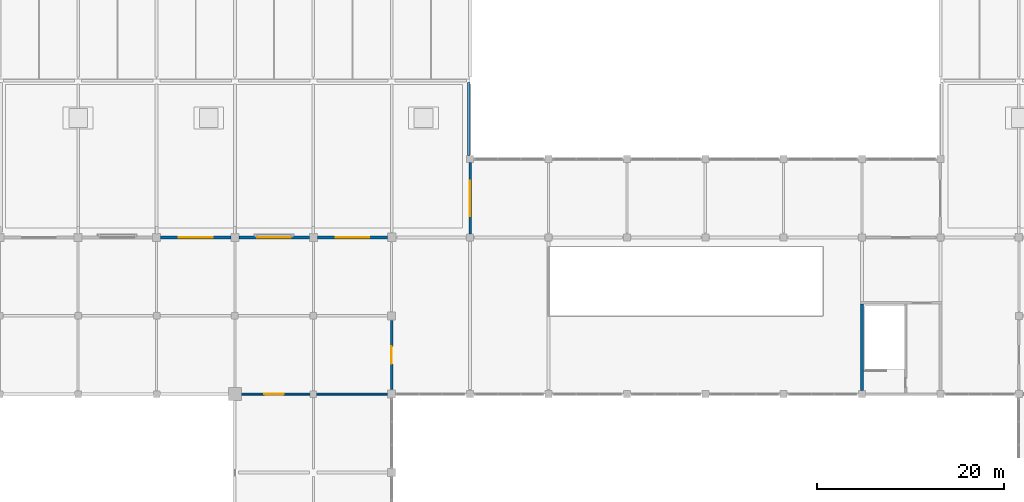
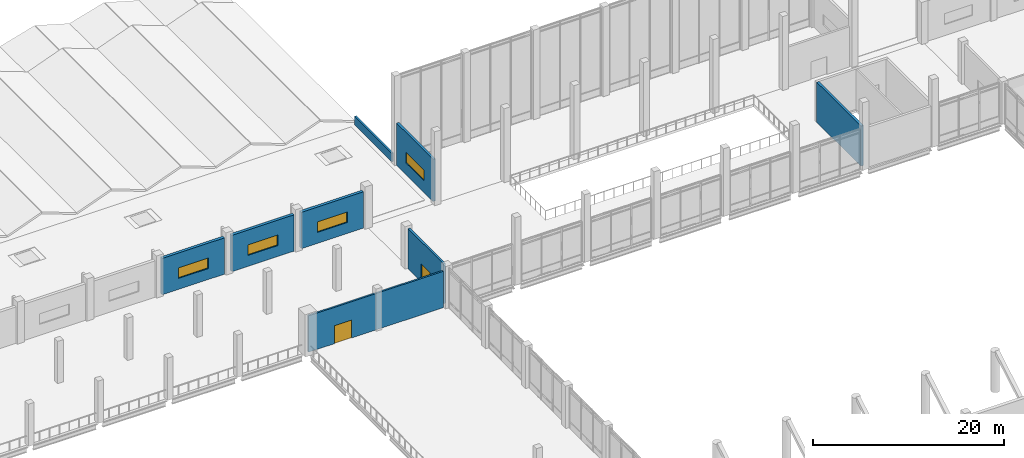
# One storey, part 55 of 72: 8 walls, 4 windows, 2 doors, 6 openings.
"""IFC4 building model written with IfcOpenShell, lengths in metres."""

from ifc_helpers import new_model, si_unit, direction, frame, frame_2d, origin, place, context, subcontext, project, spatial, rectangle, extrude, material, layer, layer_set, type_object, element, fill, save


model = new_model("IFC4")

# Units and contexts
model_context = context("Model", 3, precision=1e-05, world=origin(), true_north=direction((0.0, 1.0)))
body_context = subcontext(model_context, "Body", "Model", "MODEL_VIEW")
ifc_project = project(units=[si_unit("LENGTHUNIT", "METRE"), si_unit("AREAUNIT", "SQUARE_METRE"), si_unit("VOLUMEUNIT", "CUBIC_METRE"), si_unit("PLANEANGLEUNIT", "RADIAN"), si_unit("MASSUNIT", "GRAM", prefix="KILO")], contexts=[model_context])

# Site, building, storey
site_placement = place(None, origin())
site = spatial("IfcSite", under=ifc_project, at=site_placement, CompositionType="ELEMENT")
building_placement = place(site_placement, origin())
building = spatial("IfcBuilding", under=site, at=building_placement, Name="Qawsi Khor Wholesale Market", CompositionType="ELEMENT")
storey_placement = place(building_placement, frame((0.0, 0.0, 6.0)))
storey = spatial("IfcBuildingStorey", under=building, at=storey_placement, Name="L01", CompositionType="ELEMENT", Elevation=6.0)

# Wall, opening, window
ifc_material_1 = material(Name="Concrete C40/50", Category="concrete")
ifc_layer_1 = layer(ifc_material_1, 0.280029296875, Name="Concrete C40/50")
ifc_layer_set_1 = layer_set([ifc_layer_1], Name="Concrete C40/50")
wall_type_1 = type_object("IfcWallType", Name="Clerestory Spandrel Wall 280", PredefinedType="SOLIDWALL", material=ifc_layer_set_1)
wall_1_placement = place(storey_placement, frame((84.0, 109.580078125, 0.0), z_axis=(0.0, 0.0, 1.0), x_axis=(0.0, 1.0, 0.0)))
wall_1 = element("IfcWall", 1, at=wall_1_placement, inside=storey, type_object=wall_type_1, Name="EW-L01-AUCW", PredefinedType="SOLIDWALL", context=body_context, shape_type="SweptSolid", body=[
    extrude(rectangle(XDim=7.639892578125, YDim=0.280029296875, at=frame_2d((3.81982421875, 0.0))), origin(), (0.0, 0.0, 1.0), 5.39990234375),
])
opening_1_placement = place(wall_1_placement, frame((1.89990234375, 0.0, 1.5)))
opening_1 = element("IfcOpeningElement", 2, at=opening_1_placement, cuts=wall_1, Name="Opening W-16", PredefinedType="OPENING", context=body_context, shape_type="SweptSolid", body=[
    extrude(rectangle(XDim=3.800048828125, YDim=1.35009765625, at=frame_2d((1.89990234375, 0.675048828125))), frame((0.0, 0.14990234375, 0.0), z_axis=(0.0, -1.0, 0.0), x_axis=(1.0, 0.0, 0.0)), (0.0, 0.0, 1.0), 0.300048828125),
])
ifc_material_2 = material(Name="Thermally Broken Aluminium & Low-E Glass", Category="aluminium")
window_type_1 = type_object("IfcWindowType", Name="Win W-16 Auction High Clerestory 3800x1350", PartitioningType="SINGLE_PANEL", PredefinedType="WINDOW", material=ifc_material_2)
window_1_placement = place(opening_1_placement, origin())
window_1 = element("IfcWindow", 3, at=window_1_placement, inside=storey, type_object=window_type_1, Name="Win W-16 Auction High Clerestory 3800x1350 205", OverallHeight=1.35009765625, OverallWidth=3.800048828125, PartitioningType="SINGLE_PANEL", PredefinedType="WINDOW", context=body_context, shape_type="SweptSolid", body=[
    extrude(rectangle(XDim=3.800048828125, YDim=1.35009765625, at=frame_2d((1.89990234375, 0.675048828125))), frame((0.0, 0.030029296875, 0.0), z_axis=(0.0, -1.0, 0.0), x_axis=(1.0, 0.0, 0.0)), (0.0, 0.0, 1.0), 0.06005859375),
])
fill(opening_1, window_1)

# Wall
ifc_layer_2 = layer(ifc_material_1, 0.300048828125, Name="Concrete C40/50")
ifc_layer_set_2 = layer_set([ifc_layer_2], Name="Concrete C40/50")
wall_type_2 = type_object("IfcWallType", Name="Core Shear Wall RC 300 C40/50", PredefinedType="SHEAR", material=ifc_layer_set_2)
wall_2_placement = place(storey_placement, frame((126.0, 92.780029296875, 0.0), z_axis=(0.0, 0.0, 1.0), x_axis=(0.0, 1.0, 0.0)))
element("IfcWall", 4, at=wall_2_placement, inside=storey, type_object=wall_type_2, Name="Core C10 west shear wall L01", PredefinedType="SHEAR", context=body_context, shape_type="SweptSolid", body=[
    extrude(rectangle(XDim=9.27001953125, YDim=0.300048828125, at=frame_2d((4.635009765625, 0.0))), origin(), (0.0, 0.0, 1.0), 5.1201171875),
])

# Wall, opening, door
ifc_material_3 = material(Name="Gypsum Fireboard on Steel Stud", Category="steel")
ifc_layer_3 = layer(ifc_material_3, 0.2099609375, Name="Gypsum Fireboard on Steel Stud")
ifc_layer_set_3 = layer_set([ifc_layer_3], Name="Gypsum Fireboard on Steel Stud")
wall_type_3 = type_object("IfcWallType", Name="Corridor Fire Partition Wall 210", PredefinedType="PARTITIONING", material=ifc_layer_set_3)
wall_3_placement = place(storey_placement, frame((58.85009765625, 92.39990234375, 0.0), z_axis=(0.0, 0.0, 1.0), x_axis=(1.0, 0.0, 0.0)))
wall_3 = element("IfcWall", 5, at=wall_3_placement, inside=storey, type_object=wall_type_3, Name="PW-L01-121", PredefinedType="PARTITIONING", context=body_context, shape_type="SweptSolid", body=[
    extrude(rectangle(XDim=16.2998046875, YDim=0.2099609375, at=frame_2d((8.14990234375, 0.0))), origin(), (0.0, 0.0, 1.0), 4.639892578125),
])
opening_2_placement = place(wall_3_placement, frame((3.10009765625, 0.0, 0.0)))
opening_2 = element("IfcOpeningElement", 6, at=opening_2_placement, cuts=wall_3, Name="Opening ID-03", PredefinedType="OPENING", context=body_context, shape_type="SweptSolid", body=[
    extrude(rectangle(XDim=2.10009765625, YDim=2.300048828125, at=frame_2d((1.050048828125, 1.14990234375))), frame((0.0, 0.114990234375, 0.0), z_axis=(0.0, -1.0, 0.0), x_axis=(1.0, 0.0, 0.0)), (0.0, 0.0, 1.0), 0.22998046875),
])
ifc_material_4 = material(Name="Glazed Steel Fire Door", Category="steel")
door_type_1 = type_object("IfcDoorType", Name="Hall Concourse Double Door 2100x2300 FD60S", OperationType="NOTDEFINED", PredefinedType="DOOR", material=ifc_material_4)
door_1_placement = place(opening_2_placement, origin())
door_1 = element("IfcDoor", 7, at=door_1_placement, inside=storey, type_object=door_type_1, Name="Hall Concourse Double Door 2100x2300 FD60S L01-130", OperationType="DOUBLE_DOOR_SINGLE_SWING", OverallHeight=2.300048828125, OverallWidth=2.10009765625, PredefinedType="DOOR", context=body_context, shape_type="SweptSolid", body=[
    extrude(rectangle(XDim=2.10009765625, YDim=2.300048828125, at=frame_2d((1.050048828125, 1.14990234375))), frame((0.0, 0.02490234375, 0.0), z_axis=(0.0, -1.0, 0.0), x_axis=(1.0, 0.0, 0.0)), (0.0, 0.0, 1.0), 0.050048828125),
])
fill(opening_2, door_1)

ifc_material_5 = material(Name="Concrete Blockwork & Plaster", Category="masonry")
ifc_layer_4 = layer(ifc_material_5, 0.25, Name="Concrete Blockwork & Plaster")
ifc_layer_set_4 = layer_set([ifc_layer_4], Name="Concrete Blockwork & Plaster")
wall_type_4 = type_object("IfcWallType", Name="Fire Compartment Masonry Wall 250", PredefinedType="SOLIDWALL", material=ifc_layer_set_4)
wall_4_placement = place(storey_placement, frame((75.60009765625, 92.89990234375, 0.0), z_axis=(0.0, 0.0, 1.0), x_axis=(0.0, 1.0, 0.0)))
wall_4 = element("IfcWall", 8, at=wall_4_placement, inside=storey, type_object=wall_type_4, Name="PW-L01-026", PredefinedType="SOLIDWALL", context=body_context, shape_type="SweptSolid", body=[
    extrude(rectangle(XDim=7.400146484375, YDim=0.25, at=frame_2d((3.7001953125, 0.0))), origin(), (0.0, 0.0, 1.0), 5.1201171875),
])
opening_3_placement = place(wall_4_placement, frame((2.75, 0.0, 0.0)))
opening_3 = element("IfcOpeningElement", 9, at=opening_3_placement, cuts=wall_4, Name="Opening ID-16", PredefinedType="OPENING", context=body_context, shape_type="SweptSolid", body=[
    extrude(rectangle(XDim=1.8798828125, YDim=2.260009765625, at=frame_2d((0.93994140625, 1.1298828125))), frame((0.0, 0.135009765625, 0.0), z_axis=(0.0, -1.0, 0.0), x_axis=(1.0, 0.0, 0.0)), (0.0, 0.0, 1.0), 0.27001953125),
])
ifc_material_6 = material(Name="Acoustic Timber Fire Door", Category="wood")
door_type_2 = type_object("IfcDoorType", Name="Auction Buyers Tier Double Door 1880x2260 FD60S", OperationType="NOTDEFINED", PredefinedType="DOOR", material=ifc_material_6)
door_2_placement = place(opening_3_placement, origin())
door_2 = element("IfcDoor", 10, at=door_2_placement, inside=storey, type_object=door_type_2, Name="Auction Buyers Tier Double Door 1880x2260 FD60S L01-021", OperationType="DOUBLE_DOOR_SINGLE_SWING", OverallHeight=2.260009765625, OverallWidth=1.8798828125, PredefinedType="DOOR", context=body_context, shape_type="SweptSolid", body=[
    extrude(rectangle(XDim=1.8798828125, YDim=2.260009765625, at=frame_2d((0.93994140625, 1.1298828125))), frame((0.0, 0.02490234375, 0.0), z_axis=(0.0, -1.0, 0.0), x_axis=(1.0, 0.0, 0.0)), (0.0, 0.0, 1.0), 0.050048828125),
])
fill(opening_3, door_2)

# Wall
ifc_layer_5 = layer(ifc_material_1, 0.22998046875, Name="Concrete C40/50")
ifc_layer_set_5 = layer_set([ifc_layer_5], Name="Concrete C40/50")
wall_type_5 = type_object("IfcWallType", Name="Roof Parapet Upstand Wall 230", PredefinedType="PARAPET", material=ifc_layer_set_5)
wall_5_placement = place(storey_placement, frame((83.85009765625, 118.0, 0.0), z_axis=(0.0, 0.0, 1.0), x_axis=(0.0, 1.0, 0.0)))
element("IfcWall", 11, at=wall_5_placement, inside=storey, type_object=wall_type_5, Name="Roof parapet PRP-L01-NWC-E", PredefinedType="PARAPET", context=body_context, shape_type="SweptSolid", body=[
    extrude(rectangle(XDim=7.800048828125, YDim=0.22998046875, at=frame_2d((3.89990234375, 0.0))), origin(), (0.0, 0.0, 1.0), 1.10009765625),
])

# Wall, opening, window
ifc_layer_6 = layer(ifc_material_1, 0.35009765625, Name="Concrete C40/50")
ifc_layer_set_6 = layer_set([ifc_layer_6], Name="Concrete C40/50")
wall_type_6 = type_object("IfcWallType", Name="Trading Hall Precast Concrete Wall 350", PredefinedType="SOLIDWALL", material=ifc_layer_set_6)
wall_6_placement = place(storey_placement, frame((50.830078125, 109.199951171875, 0.0), z_axis=(0.0, 0.0, 1.0), x_axis=(1.0, 0.0, 0.0)))
wall_6 = element("IfcWall", 12, at=wall_6_placement, inside=storey, type_object=wall_type_6, Name="EW-L01-WHN-06", PredefinedType="SOLIDWALL", context=body_context, shape_type="SweptSolid", body=[
    extrude(rectangle(XDim=7.5400390625, YDim=0.35009765625, at=frame_2d((3.77001953125, 0.0))), origin(), (0.0, 0.0, 1.0), 4.639892578125),
])
opening_4_placement = place(wall_6_placement, frame((1.969970703125, 0.0, 1.39990234375)))
opening_4 = element("IfcOpeningElement", 13, at=opening_4_placement, cuts=wall_6, Name="Opening W-12", PredefinedType="OPENING", context=body_context, shape_type="SweptSolid", body=[
    extrude(rectangle(XDim=3.60009765625, YDim=1.35009765625, at=frame_2d((1.800048828125, 0.675048828125))), frame((0.0, 0.18505859375, 0.0), z_axis=(0.0, -1.0, 0.0), x_axis=(1.0, 0.0, 0.0)), (0.0, 0.0, 1.0), 0.3701171875),
])
window_type_2 = type_object("IfcWindowType", Name="Win W-12 Hall North Clerestory 3600x1350", PartitioningType="SINGLE_PANEL", PredefinedType="WINDOW", material=ifc_material_2)
window_2_placement = place(opening_4_placement, origin())
window_2 = element("IfcWindow", 14, at=window_2_placement, inside=storey, type_object=window_type_2, Name="Win W-12 Hall North Clerestory 3600x1350 160", OverallHeight=1.35009765625, OverallWidth=3.60009765625, PartitioningType="SINGLE_PANEL", PredefinedType="WINDOW", context=body_context, shape_type="SweptSolid", body=[
    extrude(rectangle(XDim=3.60009765625, YDim=1.35009765625, at=frame_2d((1.800048828125, 0.675048828125))), frame((0.0, 0.030029296875, 0.0), z_axis=(0.0, -1.0, 0.0), x_axis=(1.0, 0.0, 0.0)), (0.0, 0.0, 1.0), 0.06005859375),
])
fill(opening_4, window_2)

wall_7_placement = place(storey_placement, frame((59.22998046875, 109.199951171875, 0.0), z_axis=(0.0, 0.0, 1.0), x_axis=(1.0, 0.0, 0.0)))
wall_7 = element("IfcWall", 15, at=wall_7_placement, inside=storey, type_object=wall_type_6, Name="EW-L01-WHN-07", PredefinedType="SOLIDWALL", context=body_context, shape_type="SweptSolid", body=[
    extrude(rectangle(XDim=7.5400390625, YDim=0.35009765625, at=frame_2d((3.77001953125, 0.0))), origin(), (0.0, 0.0, 1.0), 4.639892578125),
])
opening_5_placement = place(wall_7_placement, frame((1.969970703125, 0.0, 1.39990234375)))
opening_5 = element("IfcOpeningElement", 16, at=opening_5_placement, cuts=wall_7, Name="Opening W-12", PredefinedType="OPENING", context=body_context, shape_type="SweptSolid", body=[
    extrude(rectangle(XDim=3.60009765625, YDim=1.35009765625, at=frame_2d((1.800048828125, 0.675048828125))), frame((0.0, 0.18505859375, 0.0), z_axis=(0.0, -1.0, 0.0), x_axis=(1.0, 0.0, 0.0)), (0.0, 0.0, 1.0), 0.3701171875),
])
window_3_placement = place(opening_5_placement, origin())
window_3 = element("IfcWindow", 17, at=window_3_placement, inside=storey, type_object=window_type_2, Name="Win W-12 Hall North Clerestory 3600x1350 161", OverallHeight=1.35009765625, OverallWidth=3.60009765625, PartitioningType="SINGLE_PANEL", PredefinedType="WINDOW", context=body_context, shape_type="SweptSolid", body=[
    extrude(rectangle(XDim=3.60009765625, YDim=1.35009765625, at=frame_2d((1.800048828125, 0.675048828125))), frame((0.0, 0.030029296875, 0.0), z_axis=(0.0, -1.0, 0.0), x_axis=(1.0, 0.0, 0.0)), (0.0, 0.0, 1.0), 0.06005859375),
])
fill(opening_5, window_3)

wall_8_placement = place(storey_placement, frame((67.6298828125, 109.199951171875, 0.0), z_axis=(0.0, 0.0, 1.0), x_axis=(1.0, 0.0, 0.0)))
wall_8 = element("IfcWall", 18, at=wall_8_placement, inside=storey, type_object=wall_type_6, Name="EW-L01-WHN-08", PredefinedType="SOLIDWALL", context=body_context, shape_type="SweptSolid", body=[
    extrude(rectangle(XDim=7.51513671875, YDim=0.35009765625, at=frame_2d((3.757568359375, 0.0))), origin(), (0.0, 0.0, 1.0), 4.639892578125),
])
opening_6_placement = place(wall_8_placement, frame((1.969970703125, 0.0, 1.39990234375)))
opening_6 = element("IfcOpeningElement", 19, at=opening_6_placement, cuts=wall_8, Name="Opening W-12", PredefinedType="OPENING", context=body_context, shape_type="SweptSolid", body=[
    extrude(rectangle(XDim=3.60009765625, YDim=1.35009765625, at=frame_2d((1.800048828125, 0.675048828125))), frame((0.0, 0.18505859375, 0.0), z_axis=(0.0, -1.0, 0.0), x_axis=(1.0, 0.0, 0.0)), (0.0, 0.0, 1.0), 0.3701171875),
])
window_4_placement = place(opening_6_placement, origin())
window_4 = element("IfcWindow", 20, at=window_4_placement, inside=storey, type_object=window_type_2, Name="Win W-12 Hall North Clerestory 3600x1350 162", OverallHeight=1.35009765625, OverallWidth=3.60009765625, PartitioningType="SINGLE_PANEL", PredefinedType="WINDOW", context=body_context, shape_type="SweptSolid", body=[
    extrude(rectangle(XDim=3.60009765625, YDim=1.35009765625, at=frame_2d((1.800048828125, 0.675048828125))), frame((0.0, 0.030029296875, 0.0), z_axis=(0.0, -1.0, 0.0), x_axis=(1.0, 0.0, 0.0)), (0.0, 0.0, 1.0), 0.06005859375),
])
fill(opening_6, window_4)

save(model, "model.ifc")
